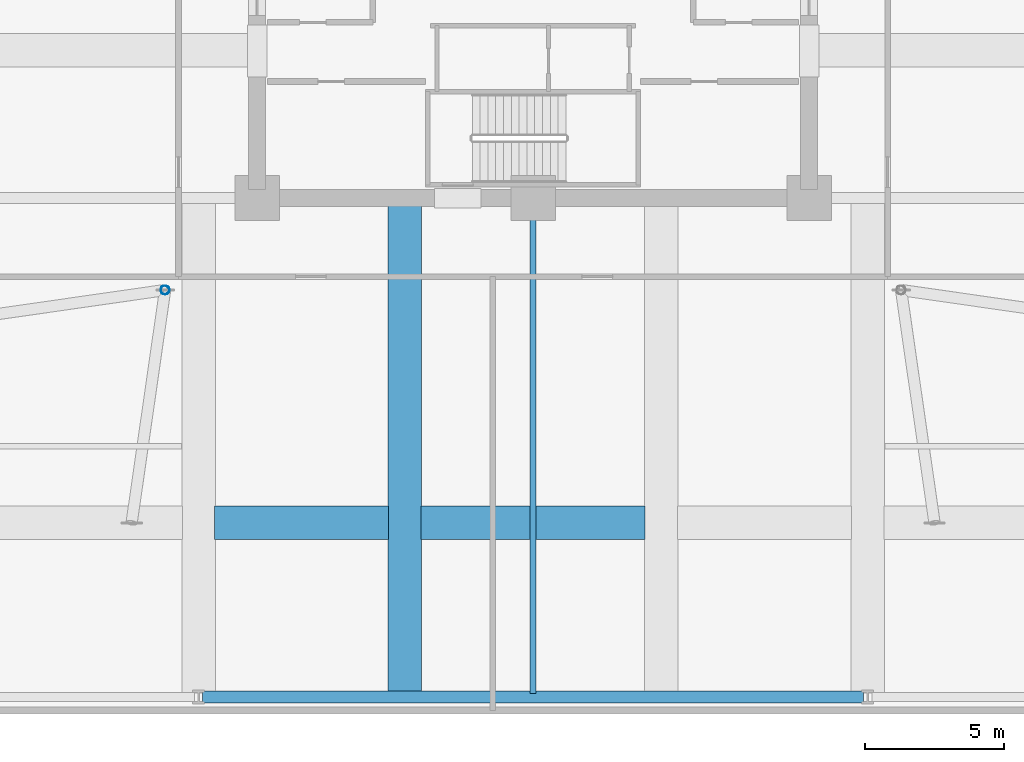
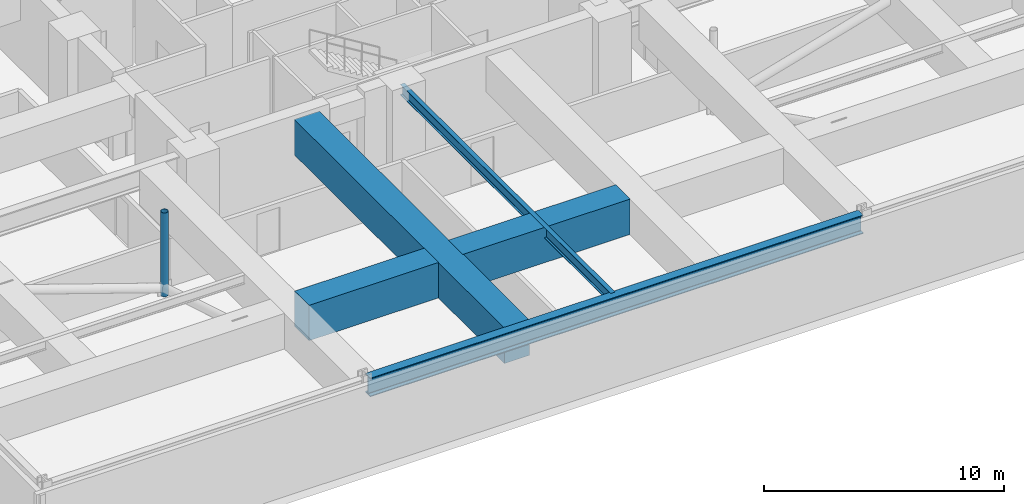
# One storey, part 2 of 16: 5 beams, 1 member.
"""IFC4 building model written with IfcOpenShell, lengths in metres."""

from ifc_helpers import new_model, si_unit, direction, frame, origin, origin_2d, place, context, subcontext, project, spatial, rectangle, hollow_circle, i_section, extrude, material, material_profile, profile_set, type_object, element, save


model = new_model("IFC4")

# Units and contexts
model_context = context("Model", 3, precision=1e-05, world=origin(), true_north=direction((0.0, 1.0)))
body_context = subcontext(model_context, "Body", "Model", "MODEL_VIEW")
ifc_project = project(units=[si_unit("LENGTHUNIT", "METRE"), si_unit("AREAUNIT", "SQUARE_METRE"), si_unit("VOLUMEUNIT", "CUBIC_METRE"), si_unit("PLANEANGLEUNIT", "RADIAN"), si_unit("MASSUNIT", "GRAM", prefix="KILO")], contexts=[model_context])

# Site, building, storey
site_placement = place(None, origin())
site = spatial("IfcSite", under=ifc_project, at=site_placement, CompositionType="ELEMENT")
building_placement = place(site_placement, origin())
building = spatial("IfcBuilding", under=site, at=building_placement, Name="Kolvaren Belvedere", CompositionType="ELEMENT")
storey_placement = place(building_placement, frame((0.0, 0.0, 19.300048828125)))
storey = spatial("IfcBuildingStorey", under=building, at=storey_placement, Name="L05", CompositionType="ELEMENT", Elevation=19.300048828125)

# Beams
ifc_material_1 = material(Name="Structural steel ASTM A992 Grade 50", Category="steel")
ifc_material_profile_1 = material_profile(ifc_material_1, i_section(OverallWidth=0.423095703125, OverallDepth=0.947998046875, WebThickness=0.02392578125, FlangeThickness=0.042724609375, FilletRadius=0.028076171875, at=origin_2d()), Name="W36X302")
ifc_profile_set_1 = profile_set([ifc_material_profile_1], Name="Structural steel ASTM A992 Grade 50")
beam_type_1 = type_object("IfcBeamType", Name="BM-ARCH-W36X302", PredefinedType="BEAM", material=ifc_profile_set_1)
beam_1_placement = place(storey_placement, frame((-11.85009765625, -27.800048828125, 3.785888671875), z_axis=(1.0, 0.0, 0.0), x_axis=(0.0, 1.0, 0.0)))
element("IfcBeam", 1, at=beam_1_placement, inside=storey, type_object=beam_type_1, Name="L05 South Portal Header Spandrel", PredefinedType="SPANDREL", context=body_context, shape_type="SweptSolid", body=[
    extrude(i_section(OverallWidth=0.423095703125, OverallDepth=0.947998046875, WebThickness=0.02392578125, FlangeThickness=0.042724609375, FilletRadius=0.028076171875, at=origin_2d()), origin(), (0.0, 0.0, 1.0), 23.7001953125),
])
ifc_material_2 = material(Name="Structural steel ASTM A992 Grade 50", Category="steel")
ifc_material_profile_2 = material_profile(ifc_material_2, i_section(OverallWidth=0.2099609375, OverallDepth=0.537109375, WebThickness=0.010986328125, FlangeThickness=0.017333984375, FilletRadius=0.01611328125, at=origin_2d()), Name="W21X68")
ifc_profile_set_2 = profile_set([ifc_material_profile_2], Name="Structural steel ASTM A992 Grade 50")
beam_type_2 = type_object("IfcBeamType", Name="BM-FLR-W21X68", PredefinedType="BEAM", material=ifc_profile_set_2)
beam_2_placement = place(storey_placement, frame((0.0, -10.14990234375, 3.991455078125), z_axis=(0.0, -1.0, 0.0), x_axis=(1.0, 0.0, 0.0)))
element("IfcBeam", 2, at=beam_2_placement, inside=storey, type_object=beam_type_2, Name="L05 South Centre Beam", PredefinedType="BEAM", context=body_context, shape_type="SweptSolid", body=[
    extrude(i_section(OverallWidth=0.2099609375, OverallDepth=0.537109375, WebThickness=0.010986328125, FlangeThickness=0.017333984375, FilletRadius=0.01611328125, at=origin_2d()), origin(), (0.0, 0.0, 1.0), 17.530029296875),
])
ifc_material_3 = material(Name="Concrete C50/60", Category="concrete")
ifc_material_profile_3 = material_profile(ifc_material_3, rectangle(XDim=1.199951171875, YDim=1.800048828125, at=origin_2d()), Name="RC 1200X1800")
ifc_profile_set_3 = profile_set([ifc_material_profile_3], Name="Concrete C50/60")
beam_type_3 = type_object("IfcBeamType", Name="BM-TG-1800", PredefinedType="BEAM", material=ifc_profile_set_3)
beam_3_placement = place(storey_placement, frame((-4.60009765625, -10.14990234375, 3.35986328125), z_axis=(0.0, -1.0, 0.0), x_axis=(1.0, 0.0, 0.0)))
element("IfcBeam", 3, at=beam_3_placement, inside=storey, type_object=beam_type_3, Name="L05 South Primary Transfer Girder M46", PredefinedType="BEAM", context=body_context, shape_type="SweptSolid", body=[
    extrude(rectangle(XDim=1.199951171875, YDim=1.800048828125, at=origin_2d()), origin(), (0.0, 0.0, 1.0), 17.5),
])
beam_4_placement = place(storey_placement, frame((-11.419921875, -21.550048828125, 3.35986328125), z_axis=(1.0, 0.0, 0.0), x_axis=(0.0, 1.0, 0.0)))
element("IfcBeam", 4, at=beam_4_placement, inside=storey, type_object=beam_type_3, Name="L05 South Transfer Ring Girder W2", PredefinedType="BEAM", context=body_context, shape_type="SweptSolid", body=[
    extrude(rectangle(XDim=1.199951171875, YDim=1.800048828125, at=origin_2d()), origin(), (0.0, 0.0, 1.0), 6.239990234375),
])
beam_5_placement = place(storey_placement, frame((-4.02001953125, -21.550048828125, 3.35986328125), z_axis=(1.0, 0.0, 0.0), x_axis=(0.0, 1.0, 0.0)))
element("IfcBeam", 5, at=beam_5_placement, inside=storey, type_object=beam_type_3, Name="L05 South Transfer Ring Girder C", PredefinedType="BEAM", context=body_context, shape_type="SweptSolid", body=[
    extrude(rectangle(XDim=1.199951171875, YDim=1.800048828125, at=origin_2d()), origin(), (0.0, 0.0, 1.0), 8.0400390625),
])

# Member
ifc_material_4 = material(Name="Structural steel ASTM A500 Grade C", Category="steel")
ifc_material_profile_4 = material_profile(ifc_material_4, hollow_circle(Radius=0.162109375, WallThickness=0.01171875, at=origin_2d()), Name="HSS12.750X0.500")
ifc_profile_set_4 = profile_set([ifc_material_profile_4], Name="Structural steel ASTM A500 Grade C")
member_type = type_object("IfcMemberType", Name="MB-CAN-POST", PredefinedType="POST", material=ifc_profile_set_4)
member_placement = place(storey_placement, frame((-13.199951171875, -13.199951171875, 0.0), z_axis=(0.0, 0.0, 1.0), x_axis=(1.0, 0.0, 0.0)))
element("IfcMember", 6, at=member_placement, inside=storey, type_object=member_type, Name="L05 Transfer Truss Portal Post TP-1", PredefinedType="POST", context=body_context, shape_type="SweptSolid", body=[
    extrude(hollow_circle(Radius=0.162109375, WallThickness=0.01171875, at=origin_2d()), origin(), (0.0, 0.0, 1.0), 4.260009765625),
])

save(model, "model.ifc")
